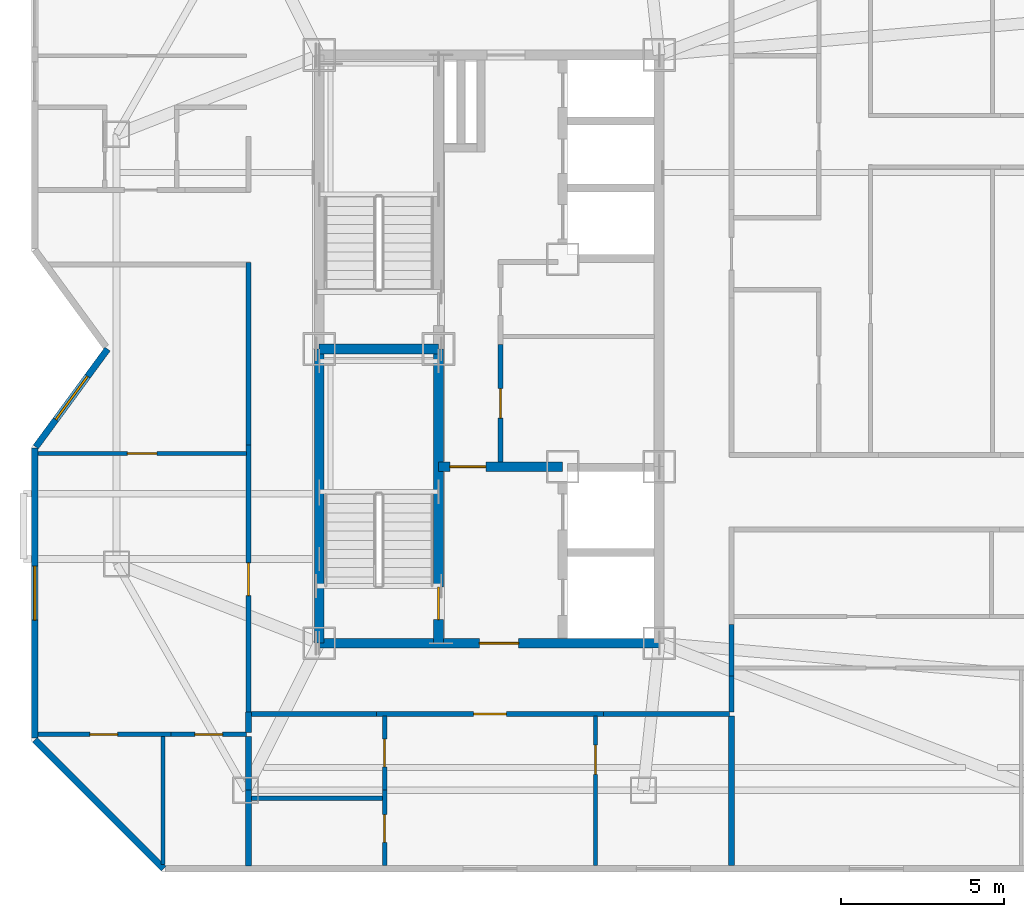
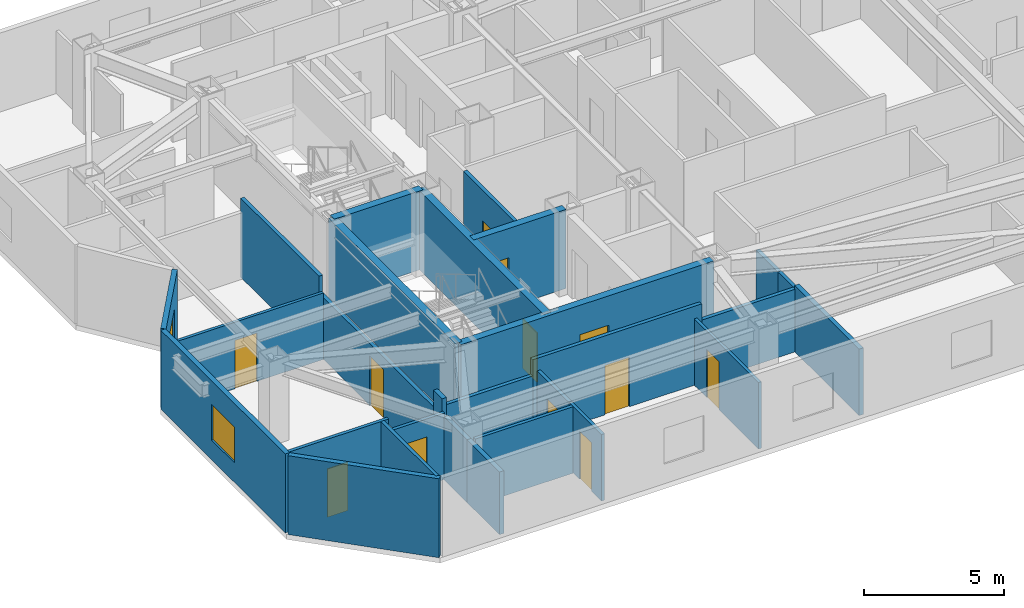
# One storey, part 4 of 10: 28 walls, 12 doors, 2 windows, 14 openings.
"""IFC4 building model written with IfcOpenShell, lengths in metres."""

from ifc_helpers import new_model, si_unit, direction, frame, frame_2d, origin, place, context, subcontext, project, spatial, rectangle, extrude, material, layer, layer_set, type_object, element, fill, save


model = new_model("IFC4")

# Units and contexts
model_context = context("Model", 3, precision=1e-05, world=origin(), true_north=direction((0.0, 1.0)))
body_context = subcontext(model_context, "Body", "Model", "MODEL_VIEW")
ifc_project = project(units=[si_unit("LENGTHUNIT", "METRE"), si_unit("AREAUNIT", "SQUARE_METRE"), si_unit("VOLUMEUNIT", "CUBIC_METRE"), si_unit("PLANEANGLEUNIT", "RADIAN"), si_unit("MASSUNIT", "GRAM", prefix="KILO")], contexts=[model_context])

# Site, building, storey
site_placement = place(None, origin())
site = spatial("IfcSite", under=ifc_project, at=site_placement, CompositionType="ELEMENT")
building_placement = place(site_placement, origin())
building = spatial("IfcBuilding", under=site, at=building_placement, Name="Khamvora Tower", CompositionType="ELEMENT")
storey_placement = place(building_placement, frame((0.0, 0.0, 246.39990234375)))
storey = spatial("IfcBuildingStorey", under=building, at=storey_placement, Name="L63", CompositionType="ELEMENT", Elevation=246.39990234375)

# Wall
ifc_material_1 = material(Name="Concrete C50/60", Category="concrete")
ifc_layer_1 = layer(ifc_material_1, 0.300048828125)
ifc_layer_set_1 = layer_set([ifc_layer_1], Name="Concrete C50/60")
wall_type_1 = type_object("IfcWallType", Name="WAL-CORE-300", PredefinedType="SHEAR", material=ifc_layer_set_1)
wall_1_placement = place(storey_placement, frame((29.0, 19.0, 0.0), z_axis=(0.0, 0.0, 1.0), x_axis=(0.0, 1.0, 0.0)))
element("IfcWall", 1, at=wall_1_placement, inside=storey, type_object=wall_type_1, Name="L63 central core west south wall", PredefinedType="SHEAR", context=body_context, shape_type="SweptSolid", body=[
    extrude(rectangle(XDim=9.0, YDim=0.300048828125, at=frame_2d((4.5, 0.0))), origin(), (0.0, 0.0, 1.0), 3.43017578125),
])

# Wall, opening, door
wall_2_placement = place(storey_placement, frame((29.0, 19.0, 0.0), z_axis=(0.0, 0.0, 1.0), x_axis=(1.0, 0.0, 0.0)))
wall_2 = element("IfcWall", 2, at=wall_2_placement, inside=storey, type_object=wall_type_1, Name="L63 central core south wall", PredefinedType="SHEAR", context=body_context, shape_type="SweptSolid", body=[
    extrude(rectangle(XDim=10.39990234375, YDim=0.300048828125, at=frame_2d((5.199951171875, 0.0))), origin(), (0.0, 0.0, 1.0), 3.43017578125),
])
opening_1_placement = place(wall_2_placement, frame((4.89990234375, 0.0, 0.0)))
opening_1 = element("IfcOpeningElement", 3, at=opening_1_placement, cuts=wall_2, Name="Opening D-CR1", PredefinedType="OPENING", context=body_context, shape_type="SweptSolid", body=[
    extrude(rectangle(XDim=1.199951171875, YDim=2.14990234375, at=frame_2d((0.60009765625, 1.074951171875))), frame((0.0, 0.159912109375, 0.0), z_axis=(0.0, -1.0, 0.0), x_axis=(1.0, 0.0, 0.0)), (0.0, 0.0, 1.0), 0.320068359375),
])
ifc_material_2 = material(Name="Powder-Coated Steel and Hardwood Leaf", Category="steel")
door_type_1 = type_object("IfcDoorType", Name="DOR-CORR-1200", OperationType="NOTDEFINED", PredefinedType="DOOR", material=ifc_material_2)
door_1_placement = place(opening_1_placement, origin())
door_1 = element("IfcDoor", 4, at=door_1_placement, inside=storey, type_object=door_type_1, Name="L63 south core lobby to corridor fire door", OperationType="SINGLE_SWING_RIGHT", OverallHeight=2.14990234375, OverallWidth=1.199951171875, PredefinedType="DOOR", context=body_context, shape_type="SweptSolid", body=[
    extrude(rectangle(XDim=1.199951171875, YDim=2.14990234375, at=frame_2d((0.60009765625, 1.074951171875))), frame((0.0, 0.02490234375, 0.0), z_axis=(0.0, -1.0, 0.0), x_axis=(1.0, 0.0, 0.0)), (0.0, 0.0, 1.0), 0.050048828125),
])
fill(opening_1, door_1)

wall_3_placement = place(storey_placement, frame((32.64990234375, 19.0, 0.0), z_axis=(0.0, 0.0, 1.0), x_axis=(0.0, 1.0, 0.0)))
wall_3 = element("IfcWall", 5, at=wall_3_placement, inside=storey, type_object=wall_type_1, Name="L63 central core stair south spine wall", PredefinedType="SHEAR", context=body_context, shape_type="SweptSolid", body=[
    extrude(rectangle(XDim=9.0, YDim=0.300048828125, at=frame_2d((4.5, 0.0))), origin(), (0.0, 0.0, 1.0), 3.43017578125),
])
opening_2_placement = place(wall_3_placement, frame((0.719970703125, 0.0, 0.0)))
opening_2 = element("IfcOpeningElement", 6, at=opening_2_placement, cuts=wall_3, Name="Opening D-ST1", PredefinedType="OPENING", context=body_context, shape_type="SweptSolid", body=[
    extrude(rectangle(XDim=1.0, YDim=2.14990234375, at=frame_2d((0.5, 1.074951171875))), frame((0.0, 0.159912109375, 0.0), z_axis=(0.0, -1.0, 0.0), x_axis=(1.0, 0.0, 0.0)), (0.0, 0.0, 1.0), 0.320068359375),
])
door_type_2 = type_object("IfcDoorType", Name="DOR-STAIR-1000", OperationType="NOTDEFINED", PredefinedType="DOOR", material=ifc_material_2)
door_2_placement = place(opening_2_placement, origin())
door_2 = element("IfcDoor", 7, at=door_2_placement, inside=storey, type_object=door_type_2, Name="L63 exit stair ST-01 fire door", OperationType="SINGLE_SWING_RIGHT", OverallHeight=2.14990234375, OverallWidth=1.0, PredefinedType="DOOR", context=body_context, shape_type="SweptSolid", body=[
    extrude(rectangle(XDim=1.0, YDim=2.14990234375, at=frame_2d((0.5, 1.074951171875))), frame((0.0, 0.02490234375, 0.0), z_axis=(0.0, -1.0, 0.0), x_axis=(1.0, 0.0, 0.0)), (0.0, 0.0, 1.0), 0.050048828125),
])
fill(opening_2, door_2)

# Wall
wall_4_placement = place(storey_placement, frame((29.0, 28.0, 0.0), z_axis=(0.0, 0.0, 1.0), x_axis=(1.0, 0.0, 0.0)))
element("IfcWall", 8, at=wall_4_placement, inside=storey, type_object=wall_type_1, Name="L63 central core stair cross wall", PredefinedType="SHEAR", context=body_context, shape_type="SweptSolid", body=[
    extrude(rectangle(XDim=3.64990234375, YDim=0.300048828125, at=frame_2d((1.824951171875, 0.0))), origin(), (0.0, 0.0, 1.0), 3.43017578125),
])

# Wall, opening, door
wall_5_placement = place(storey_placement, frame((32.64990234375, 24.39990234375, 0.0), z_axis=(0.0, 0.0, 1.0), x_axis=(1.0, 0.0, 0.0)))
wall_5 = element("IfcWall", 9, at=wall_5_placement, inside=storey, type_object=wall_type_1, Name="L63 central core firefighting lobby north wall", PredefinedType="SHEAR", context=body_context, shape_type="SweptSolid", body=[
    extrude(rectangle(XDim=3.800048828125, YDim=0.300048828125, at=frame_2d((1.89990234375, 0.0))), origin(), (0.0, 0.0, 1.0), 3.43017578125),
])
opening_3_placement = place(wall_5_placement, frame((0.35009765625, 0.0, 0.0)))
opening_3 = element("IfcOpeningElement", 10, at=opening_3_placement, cuts=wall_5, Name="Opening D-FF1", PredefinedType="OPENING", context=body_context, shape_type="SweptSolid", body=[
    extrude(rectangle(XDim=1.10009765625, YDim=2.14990234375, at=frame_2d((0.550048828125, 1.074951171875))), frame((0.0, 0.159912109375, 0.0), z_axis=(0.0, -1.0, 0.0), x_axis=(1.0, 0.0, 0.0)), (0.0, 0.0, 1.0), 0.320068359375),
])
door_type_3 = type_object("IfcDoorType", Name="DOR-FFLOB-1100", OperationType="NOTDEFINED", PredefinedType="DOOR", material=ifc_material_2)
door_3_placement = place(opening_3_placement, origin())
door_3 = element("IfcDoor", 11, at=door_3_placement, inside=storey, type_object=door_type_3, Name="L63 firefighting lobby smoke-seal fire door", OperationType="SINGLE_SWING_LEFT", OverallHeight=2.14990234375, OverallWidth=1.10009765625, PredefinedType="DOOR", context=body_context, shape_type="SweptSolid", body=[
    extrude(rectangle(XDim=1.10009765625, YDim=2.14990234375, at=frame_2d((0.550048828125, 1.074951171875))), frame((0.0, 0.02490234375, 0.0), z_axis=(0.0, -1.0, 0.0), x_axis=(1.0, 0.0, 0.0)), (0.0, 0.0, 1.0), 0.050048828125),
])
fill(opening_3, door_3)

ifc_material_3 = material(Name="Fire-Rated Drywall and Steel Stud", Category="steel")
ifc_layer_2 = layer(ifc_material_3, 0.14990234375)
ifc_layer_set_2 = layer_set([ifc_layer_2], Name="Fire-Rated Drywall and Steel Stud")
wall_type_2 = type_object("IfcWallType", Name="WAL-CORR-150", PredefinedType="STANDARD", material=ifc_layer_set_2)
wall_6_placement = place(storey_placement, frame((34.544921875, 28.135986328125, 0.0), z_axis=(0.0, 0.0, 1.0), x_axis=(0.0, -1.0, 0.0)))
wall_6 = element("IfcWall", 12, at=wall_6_placement, inside=storey, type_object=wall_type_2, Name="L63 interior partition wall 003", PredefinedType="STANDARD", context=body_context, shape_type="SweptSolid", body=[
    extrude(rectangle(XDim=3.592041015625, YDim=0.14990234375, at=frame_2d((1.7958984375, 0.0))), origin(), (0.0, 0.0, 1.0), 3.43017578125),
])
opening_4_placement = place(wall_6_placement, frame((1.345947265625, 0.0, 0.0)))
opening_4 = element("IfcOpeningElement", 13, at=opening_4_placement, cuts=wall_6, Name="Opening D-RM1", PredefinedType="OPENING", context=body_context, shape_type="SweptSolid", body=[
    extrude(rectangle(XDim=0.89990234375, YDim=2.10009765625, at=frame_2d((0.449951171875, 1.050048828125))), frame((0.0, 0.0849609375, 0.0), z_axis=(0.0, -1.0, 0.0), x_axis=(1.0, 0.0, 0.0)), (0.0, 0.0, 1.0), 0.169921875),
])
door_type_4 = type_object("IfcDoorType", Name="DOR-ROOM-900", OperationType="NOTDEFINED", PredefinedType="DOOR", material=ifc_material_2)
door_4_placement = place(opening_4_placement, origin())
door_4 = element("IfcDoor", 14, at=door_4_placement, inside=storey, type_object=door_type_4, Name="L63 interior door PHL-CS2", OperationType="SINGLE_SWING_LEFT", OverallHeight=2.10009765625, OverallWidth=0.89990234375, PredefinedType="DOOR", context=body_context, shape_type="SweptSolid", body=[
    extrude(rectangle(XDim=0.89990234375, YDim=2.10009765625, at=frame_2d((0.449951171875, 1.050048828125))), frame((0.0, 0.02490234375, 0.0), z_axis=(0.0, -1.0, 0.0), x_axis=(1.0, 0.0, 0.0)), (0.0, 0.0, 1.0), 0.050048828125),
])
fill(opening_4, door_4)

wall_7_placement = place(storey_placement, frame((26.8349609375, 16.89990234375, 0.0), z_axis=(0.0, 0.0, 1.0), x_axis=(0.0, 1.0, 0.0)))
wall_7 = element("IfcWall", 15, at=wall_7_placement, inside=storey, type_object=wall_type_2, Name="L63 interior partition wall 006", PredefinedType="STANDARD", context=body_context, shape_type="SweptSolid", body=[
    extrude(rectangle(XDim=8.1591796875, YDim=0.14990234375, at=frame_2d((4.07958984375, 0.0))), origin(), (0.0, 0.0, 1.0), 2.68701171875),
])
opening_5_placement = place(wall_7_placement, frame((3.55908203125, 0.0, 0.0)))
opening_5 = element("IfcOpeningElement", 16, at=opening_5_placement, cuts=wall_7, Name="Opening D-U1", PredefinedType="OPENING", context=body_context, shape_type="SweptSolid", body=[
    extrude(rectangle(XDim=1.0, YDim=2.14990234375, at=frame_2d((0.5, 1.074951171875))), frame((0.0, 0.0849609375, 0.0), z_axis=(0.0, -1.0, 0.0), x_axis=(1.0, 0.0, 0.0)), (0.0, 0.0, 1.0), 0.169921875),
])
door_type_5 = type_object("IfcDoorType", Name="DOR-UNIT-1000", OperationType="NOTDEFINED", PredefinedType="DOOR", material=ifc_material_2)
door_5_placement = place(opening_5_placement, origin())
door_5 = element("IfcDoor", 17, at=door_5_placement, inside=storey, type_object=door_type_5, Name="L63 interior door COR-63WAH", OperationType="SINGLE_SWING_LEFT", OverallHeight=2.14990234375, OverallWidth=1.0, PredefinedType="DOOR", context=body_context, shape_type="SweptSolid", body=[
    extrude(rectangle(XDim=1.0, YDim=2.14990234375, at=frame_2d((0.5, 1.074951171875))), frame((0.0, 0.02490234375, 0.0), z_axis=(0.0, -1.0, 0.0), x_axis=(1.0, 0.0, 0.0)), (0.0, 0.0, 1.0), 0.050048828125),
])
fill(opening_5, door_5)

# Wall
wall_8_placement = place(storey_placement, frame((26.8349609375, 25.05908203125, 0.0), z_axis=(0.0, 0.0, 1.0), x_axis=(0.0, 1.0, 0.0)))
element("IfcWall", 18, at=wall_8_placement, inside=storey, type_object=wall_type_2, Name="L63 interior partition wall 007", PredefinedType="STANDARD", context=body_context, shape_type="SweptSolid", body=[
    extrude(rectangle(XDim=5.5908203125, YDim=0.14990234375, at=frame_2d((2.79541015625, 0.0))), origin(), (0.0, 0.0, 1.0), 3.43017578125),
])

# Wall, opening, door
wall_9_placement = place(storey_placement, frame((37.698974609375, 16.8349609375, 0.0), z_axis=(0.0, 0.0, 1.0), x_axis=(-1.0, 0.0, 0.0)))
wall_9 = element("IfcWall", 19, at=wall_9_placement, inside=storey, type_object=wall_type_2, Name="L63 interior partition wall 012", PredefinedType="STANDARD", context=body_context, shape_type="SweptSolid", body=[
    extrude(rectangle(XDim=6.947998046875, YDim=0.14990234375, at=frame_2d((3.47412109375, 0.0))), origin(), (0.0, 0.0, 1.0), 3.43017578125),
])
opening_6_placement = place(wall_9_placement, frame((2.97412109375, 0.0, 0.0)))
opening_6 = element("IfcOpeningElement", 20, at=opening_6_placement, cuts=wall_9, Name="Opening D-U1", PredefinedType="OPENING", context=body_context, shape_type="SweptSolid", body=[
    extrude(rectangle(XDim=1.0, YDim=2.14990234375, at=frame_2d((0.5, 1.074951171875))), frame((0.0, 0.0849609375, 0.0), z_axis=(0.0, -1.0, 0.0), x_axis=(1.0, 0.0, 0.0)), (0.0, 0.0, 1.0), 0.169921875),
])
door_6_placement = place(opening_6_placement, origin())
door_6 = element("IfcDoor", 21, at=door_6_placement, inside=storey, type_object=door_type_5, Name="L63 interior door COR-63SAH", OperationType="SINGLE_SWING_LEFT", OverallHeight=2.14990234375, OverallWidth=1.0, PredefinedType="DOOR", context=body_context, shape_type="SweptSolid", body=[
    extrude(rectangle(XDim=1.0, YDim=2.14990234375, at=frame_2d((0.5, 1.074951171875))), frame((0.0, 0.02490234375, 0.0), z_axis=(0.0, -1.0, 0.0), x_axis=(1.0, 0.0, 0.0)), (0.0, 0.0, 1.0), 0.050048828125),
])
fill(opening_6, door_6)

# Walls
for number, where, z_axis, x_axis, name in (
    (22, (30.7509765625, 16.8349609375, 0.0), (0.0, 0.0, 1.0), (-1.0, 0.0, 0.0), "L63 interior partition wall 013"),
    (23, (41.550048828125, 16.8349609375, 0.0), (0.0, 0.0, 1.0), (-1.0, 0.0, 0.0), "L63 interior partition wall 014"),
):
    element("IfcWall", number, at=place(storey_placement, frame(where, z_axis=z_axis, x_axis=x_axis)), inside=storey, type_object=wall_type_2, Name=name, PredefinedType="STANDARD", context=body_context, shape_type="SweptSolid", body=[
        extrude(rectangle(XDim=3.85107421875, YDim=0.14990234375, at=frame_2d((1.925537109375, 0.0))), origin(), (0.0, 0.0, 1.0), 2.72509765625),
    ])
wall_10_placement = place(storey_placement, frame((41.614990234375, 19.570068359375, 0.0), z_axis=(0.0, 0.0, 1.0), x_axis=(0.0, -1.0, 0.0)))
element("IfcWall", 24, at=wall_10_placement, inside=storey, type_object=wall_type_2, Name="L63 interior partition wall 022", PredefinedType="STANDARD", context=body_context, shape_type="SweptSolid", body=[
    extrude(rectangle(XDim=1.580078125, YDim=0.14990234375, at=frame_2d((0.7900390625, 0.0))), origin(), (0.0, 0.0, 1.0), 2.72509765625),
])
wall_11_placement = place(storey_placement, frame((41.614990234375, 17.989990234375, 0.0), z_axis=(0.0, 0.0, 1.0), x_axis=(0.0, -1.0, 0.0)))
element("IfcWall", 25, at=wall_11_placement, inside=storey, type_object=wall_type_2, Name="L63 interior partition wall 025", PredefinedType="STANDARD", context=body_context, shape_type="SweptSolid", body=[
    extrude(rectangle(XDim=1.090087890625, YDim=0.14990234375, at=frame_2d((0.544921875, 0.0))), origin(), (0.0, 0.0, 1.0), 2.72509765625),
])
ifc_material_4 = material(Name="Acoustic Double-Stud Fire Wall", Category="gypsum")
ifc_layer_3 = layer(ifc_material_4, 0.179931640625)
ifc_layer_set_3 = layer_set([ifc_layer_3], Name="Acoustic Double-Stud Fire Wall")
wall_type_3 = type_object("IfcWallType", Name="WAL-CORR-180", PredefinedType="STANDARD", material=ifc_layer_set_3)
wall_12_placement = place(storey_placement, frame((26.8349609375, 16.89990234375, 0.0), z_axis=(0.0, 0.0, 1.0), x_axis=(0.0, -1.0, 0.0)))
element("IfcWall", 26, at=wall_12_placement, inside=storey, type_object=wall_type_3, Name="L63 interior partition wall 043", PredefinedType="STANDARD", context=body_context, shape_type="SweptSolid", body=[
    extrude(rectangle(XDim=0.625, YDim=0.179931640625, at=frame_2d((0.3125, 0.0))), origin(), (0.0, 0.0, 1.0), 3.43017578125),
])
wall_13_placement = place(storey_placement, frame((26.8349609375, 14.509033203125, 0.0), z_axis=(0.0, 0.0, 1.0), x_axis=(0.0, -1.0, 0.0)))
element("IfcWall", 27, at=wall_13_placement, inside=storey, type_object=wall_type_3, Name="L63 interior partition wall 045", PredefinedType="STANDARD", context=body_context, shape_type="SweptSolid", body=[
    extrude(rectangle(XDim=2.317138671875, YDim=0.179931640625, at=frame_2d((1.15869140625, 0.0))), origin(), (0.0, 0.0, 1.0), 2.72509765625),
])
wall_14_placement = place(storey_placement, frame((26.8349609375, 16.14501953125, 0.0), z_axis=(0.0, 0.0, 1.0), x_axis=(0.0, -1.0, 0.0)))
element("IfcWall", 28, at=wall_14_placement, inside=storey, type_object=wall_type_3, Name="L63 interior partition wall 046", PredefinedType="STANDARD", context=body_context, shape_type="SweptSolid", body=[
    extrude(rectangle(XDim=1.635986328125, YDim=0.179931640625, at=frame_2d((0.81787109375, 0.0))), origin(), (0.0, 0.0, 1.0), 2.72509765625),
])
wall_15_placement = place(storey_placement, frame((41.614990234375, 16.77001953125, 0.0), z_axis=(0.0, 0.0, 1.0), x_axis=(0.0, -1.0, 0.0)))
element("IfcWall", 29, at=wall_15_placement, inside=storey, type_object=wall_type_3, Name="L63 interior partition wall 056", PredefinedType="STANDARD", context=body_context, shape_type="SweptSolid", body=[
    extrude(rectangle(XDim=4.578125, YDim=0.179931640625, at=frame_2d((2.2890625, 0.0))), origin(), (0.0, 0.0, 1.0), 2.88720703125),
])
ifc_material_5 = material(Name="Precast concrete C40/50", Category="concrete")
ifc_layer_4 = layer(ifc_material_5, 0.199951171875)
ifc_layer_set_4 = layer_set([ifc_layer_4], Name="Precast concrete C40/50")
wall_type_4 = type_object("IfcWallType", Name="WAL-EXT-200", PredefinedType="STANDARD", material=ifc_layer_set_4)
wall_16_placement = place(storey_placement, frame((24.240966796875, 12.10009765625, 0.0), z_axis=(0.0, 0.0, 1.0), x_axis=(-0.707106781187, 0.707106781187, 0.0)))
element("IfcWall", 30, at=wall_16_placement, inside=storey, type_object=wall_type_4, Name="L63 exterior facade wall 01.1", PredefinedType="STANDARD", context=body_context, shape_type="SweptSolid", body=[
    extrude(rectangle(XDim=5.5732421875, YDim=0.199951171875, at=frame_2d((2.78662109375, 0.0))), origin(), (0.0, 0.0, 1.0), 3.43017578125),
])

# Wall, opening, window
wall_17_placement = place(storey_placement, frame((20.300048828125, 16.10400390625, 0.0), z_axis=(0.0, 0.0, 1.0), x_axis=(0.0, 1.0, 0.0)))
wall_17 = element("IfcWall", 31, at=wall_17_placement, inside=storey, type_object=wall_type_4, Name="L63 exterior facade wall 02.1", PredefinedType="STANDARD", context=body_context, shape_type="SweptSolid", body=[
    extrude(rectangle(XDim=8.863037109375, YDim=0.199951171875, at=frame_2d((4.431640625, 0.0))), origin(), (0.0, 0.0, 1.0), 3.43017578125),
])
opening_7_placement = place(wall_17_placement, frame((3.60595703125, 0.0, 0.85009765625)))
opening_7 = element("IfcOpeningElement", 32, at=opening_7_placement, cuts=wall_17, Name="Opening WN-06", PredefinedType="OPENING", context=body_context, shape_type="SweptSolid", body=[
    extrude(rectangle(XDim=1.64990234375, YDim=1.550048828125, at=frame_2d((0.824951171875, 0.77490234375))), frame((0.0, 0.10986328125, 0.0), z_axis=(0.0, -1.0, 0.0), x_axis=(1.0, 0.0, 0.0)), (0.0, 0.0, 1.0), 0.219970703125),
])
ifc_material_6 = material(Name="Low-E Laminated Double Glazing", Category="glass")
window_type = type_object("IfcWindowType", Name="WIN-VIS-1650x1550", PartitioningType="SINGLE_PANEL", PredefinedType="WINDOW", material=ifc_material_6)
window_1_placement = place(opening_7_placement, origin())
window_1 = element("IfcWindow", 33, at=window_1_placement, inside=storey, type_object=window_type, Name="L63 vision window 02.1.01", OverallHeight=1.550048828125, OverallWidth=1.64990234375, PartitioningType="SINGLE_PANEL", PredefinedType="WINDOW", context=body_context, shape_type="SweptSolid", body=[
    extrude(rectangle(XDim=1.64990234375, YDim=1.550048828125, at=frame_2d((0.824951171875, 0.77490234375))), frame((0.0, 0.030029296875, 0.0), z_axis=(0.0, -1.0, 0.0), x_axis=(1.0, 0.0, 0.0)), (0.0, 0.0, 1.0), 0.06005859375),
])
fill(opening_7, window_1)

wall_18_placement = place(storey_placement, frame((20.3291015625, 25.007080078125, 0.0), z_axis=(0.0, 0.0, 1.0), x_axis=(0.591366515379, 0.806402904564, 0.0)))
wall_18 = element("IfcWall", 34, at=wall_18_placement, inside=storey, type_object=wall_type_4, Name="L63 exterior facade wall 03.1", PredefinedType="STANDARD", context=body_context, shape_type="SweptSolid", body=[
    extrude(rectangle(XDim=3.71142578125, YDim=0.199951171875, at=frame_2d((1.855712890625, 0.0))), origin(), (0.0, 0.0, 1.0), 3.43017578125),
])
opening_8_placement = place(wall_18_placement, frame((1.031005859375, 0.0, 0.85009765625)))
opening_8 = element("IfcOpeningElement", 35, at=opening_8_placement, cuts=wall_18, Name="Opening WN-06", PredefinedType="OPENING", context=body_context, shape_type="SweptSolid", body=[
    extrude(rectangle(XDim=1.64990234375, YDim=1.550048828125, at=frame_2d((0.824951171875, 0.77490234375))), frame((0.0, 0.10986328125, 0.0), z_axis=(0.0, -1.0, 0.0), x_axis=(1.0, 0.0, 0.0)), (0.0, 0.0, 1.0), 0.219970703125),
])
window_2_placement = place(opening_8_placement, origin())
window_2 = element("IfcWindow", 36, at=window_2_placement, inside=storey, type_object=window_type, Name="L63 vision window 03.1.01", OverallHeight=1.550048828125, OverallWidth=1.64990234375, PartitioningType="SINGLE_PANEL", PredefinedType="WINDOW", context=body_context, shape_type="SweptSolid", body=[
    extrude(rectangle(XDim=1.64990234375, YDim=1.550048828125, at=frame_2d((0.824951171875, 0.77490234375))), frame((0.0, 0.030029296875, 0.0), z_axis=(0.0, -1.0, 0.0), x_axis=(1.0, 0.0, 0.0)), (0.0, 0.0, 1.0), 0.06005859375),
])
fill(opening_8, window_2)

# Wall, opening, door
ifc_material_7 = material(Name="Gypsum Plasterboard Partition", Category="gypsum")
ifc_layer_5 = layer(ifc_material_7, 0.1201171875)
ifc_layer_set_5 = layer_set([ifc_layer_5], Name="Gypsum Plasterboard Partition")
wall_type_5 = type_object("IfcWallType", Name="WAL-PART-120", PredefinedType="PARTITIONING", material=ifc_layer_set_5)
wall_19_placement = place(storey_placement, frame((20.39208984375, 24.81005859375, 0.0), z_axis=(0.0, 0.0, 1.0), x_axis=(1.0, 0.0, 0.0)))
wall_19 = element("IfcWall", 37, at=wall_19_placement, inside=storey, type_object=wall_type_5, Name="L63 interior partition wall 042", PredefinedType="PARTITIONING", context=body_context, shape_type="SweptSolid", body=[
    extrude(rectangle(XDim=6.3779296875, YDim=0.1201171875, at=frame_2d((3.18896484375, 0.0))), origin(), (0.0, 0.0, 1.0), 2.88720703125),
])
opening_9_placement = place(wall_19_placement, frame((2.739013671875, 0.0, 0.0)))
opening_9 = element("IfcOpeningElement", 38, at=opening_9_placement, cuts=wall_19, Name="Opening D-RM1", PredefinedType="OPENING", context=body_context, shape_type="SweptSolid", body=[
    extrude(rectangle(XDim=0.89990234375, YDim=2.10009765625, at=frame_2d((0.449951171875, 1.050048828125))), frame((0.0, 0.070068359375, 0.0), z_axis=(0.0, -1.0, 0.0), x_axis=(1.0, 0.0, 0.0)), (0.0, 0.0, 1.0), 0.14013671875),
])
door_7_placement = place(opening_9_placement, origin())
door_7 = element("IfcDoor", 39, at=door_7_placement, inside=storey, type_object=door_type_4, Name="L63 interior door 63WAH-63WAR1", OperationType="SINGLE_SWING_RIGHT", OverallHeight=2.10009765625, OverallWidth=0.89990234375, PredefinedType="DOOR", context=body_context, shape_type="SweptSolid", body=[
    extrude(rectangle(XDim=0.89990234375, YDim=2.10009765625, at=frame_2d((0.449951171875, 1.050048828125))), frame((0.0, 0.02490234375, 0.0), z_axis=(0.0, -1.0, 0.0), x_axis=(1.0, 0.0, 0.0)), (0.0, 0.0, 1.0), 0.050048828125),
])
fill(opening_9, door_7)

wall_20_placement = place(storey_placement, frame((37.449951171875, 16.77001953125, 0.0), z_axis=(0.0, 0.0, 1.0), x_axis=(0.0, -1.0, 0.0)))
wall_20 = element("IfcWall", 40, at=wall_20_placement, inside=storey, type_object=wall_type_5, Name="L63 interior partition wall 054", PredefinedType="PARTITIONING", context=body_context, shape_type="SweptSolid", body=[
    extrude(rectangle(XDim=4.578125, YDim=0.1201171875, at=frame_2d((2.2890625, 0.0))), origin(), (0.0, 0.0, 1.0), 2.88720703125),
])
opening_10_placement = place(wall_20_placement, frame((0.884033203125, 0.0, 0.0)))
opening_10 = element("IfcOpeningElement", 41, at=opening_10_placement, cuts=wall_20, Name="Opening D-RM1", PredefinedType="OPENING", context=body_context, shape_type="SweptSolid", body=[
    extrude(rectangle(XDim=0.89990234375, YDim=2.10009765625, at=frame_2d((0.449951171875, 1.050048828125))), frame((0.0, 0.070068359375, 0.0), z_axis=(0.0, -1.0, 0.0), x_axis=(1.0, 0.0, 0.0)), (0.0, 0.0, 1.0), 0.14013671875),
])
door_8_placement = place(opening_10_placement, origin())
door_8 = element("IfcDoor", 42, at=door_8_placement, inside=storey, type_object=door_type_4, Name="L63 interior door 63SAH-63SAR1", OperationType="SINGLE_SWING_RIGHT", OverallHeight=2.10009765625, OverallWidth=0.89990234375, PredefinedType="DOOR", context=body_context, shape_type="SweptSolid", body=[
    extrude(rectangle(XDim=0.89990234375, YDim=2.10009765625, at=frame_2d((0.449951171875, 1.050048828125))), frame((0.0, 0.02490234375, 0.0), z_axis=(0.0, -1.0, 0.0), x_axis=(1.0, 0.0, 0.0)), (0.0, 0.0, 1.0), 0.050048828125),
])
fill(opening_10, door_8)

ifc_material_8 = material(Name="Moisture-Resistant Plasterboard Partition", Category="gypsum")
ifc_layer_6 = layer(ifc_material_8, 0.135009765625)
ifc_layer_set_6 = layer_set([ifc_layer_6], Name="Moisture-Resistant Plasterboard Partition")
wall_type_6 = type_object("IfcWallType", Name="WAL-WET-135", PredefinedType="PARTITIONING", material=ifc_layer_set_6)
wall_21_placement = place(storey_placement, frame((24.468994140625, 16.2099609375, 0.0), z_axis=(0.0, 0.0, 1.0), x_axis=(-1.0, 0.0, 0.0)))
wall_21 = element("IfcWall", 43, at=wall_21_placement, inside=storey, type_object=wall_type_6, Name="L63 interior partition wall 040", PredefinedType="PARTITIONING", context=body_context, shape_type="SweptSolid", body=[
    extrude(rectangle(XDim=4.076904296875, YDim=0.135009765625, at=frame_2d((2.03857421875, 0.0))), origin(), (0.0, 0.0, 1.0), 3.43017578125),
])
opening_11_placement = place(wall_21_placement, frame((1.634033203125, 0.0, 0.0)))
opening_11 = element("IfcOpeningElement", 44, at=opening_11_placement, cuts=wall_21, Name="Opening D-WC1", PredefinedType="OPENING", context=body_context, shape_type="SweptSolid", body=[
    extrude(rectangle(XDim=0.85009765625, YDim=2.10009765625, at=frame_2d((0.425048828125, 1.050048828125))), frame((0.0, 0.077392578125, 0.0), z_axis=(0.0, -1.0, 0.0), x_axis=(1.0, 0.0, 0.0)), (0.0, 0.0, 1.0), 0.155029296875),
])
door_type_6 = type_object("IfcDoorType", Name="DOR-WET-850", OperationType="NOTDEFINED", PredefinedType="DOOR", material=ifc_material_2)
door_9_placement = place(opening_11_placement, origin())
door_9 = element("IfcDoor", 45, at=door_9_placement, inside=storey, type_object=door_type_6, Name="L63 interior door 63WAH-63WAB", OperationType="SINGLE_SWING_RIGHT", OverallHeight=2.10009765625, OverallWidth=0.85009765625, PredefinedType="DOOR", context=body_context, shape_type="SweptSolid", body=[
    extrude(rectangle(XDim=0.85009765625, YDim=2.10009765625, at=frame_2d((0.425048828125, 1.050048828125))), frame((0.0, 0.02490234375, 0.0), z_axis=(0.0, -1.0, 0.0), x_axis=(1.0, 0.0, 0.0)), (0.0, 0.0, 1.0), 0.050048828125),
])
fill(opening_11, door_9)

wall_22_placement = place(storey_placement, frame((26.77001953125, 16.2099609375, 0.0), z_axis=(0.0, 0.0, 1.0), x_axis=(-1.0, 0.0, 0.0)))
wall_22 = element("IfcWall", 46, at=wall_22_placement, inside=storey, type_object=wall_type_6, Name="L63 interior partition wall 041", PredefinedType="PARTITIONING", context=body_context, shape_type="SweptSolid", body=[
    extrude(rectangle(XDim=2.301025390625, YDim=0.135009765625, at=frame_2d((1.150390625, 0.0))), origin(), (0.0, 0.0, 1.0), 2.88720703125),
])
opening_12_placement = place(wall_22_placement, frame((0.72607421875, 0.0, 0.0)))
opening_12 = element("IfcOpeningElement", 47, at=opening_12_placement, cuts=wall_22, Name="Opening D-RM2", PredefinedType="OPENING", context=body_context, shape_type="SweptSolid", body=[
    extrude(rectangle(XDim=0.85009765625, YDim=2.10009765625, at=frame_2d((0.425048828125, 1.050048828125))), frame((0.0, 0.077392578125, 0.0), z_axis=(0.0, -1.0, 0.0), x_axis=(1.0, 0.0, 0.0)), (0.0, 0.0, 1.0), 0.155029296875),
])
door_type_7 = type_object("IfcDoorType", Name="DOR-ROOM-850", OperationType="NOTDEFINED", PredefinedType="DOOR", material=ifc_material_2)
door_10_placement = place(opening_12_placement, origin())
door_10 = element("IfcDoor", 48, at=door_10_placement, inside=storey, type_object=door_type_7, Name="L63 interior door 63WAH-63WAK", OperationType="SINGLE_SWING_LEFT", OverallHeight=2.10009765625, OverallWidth=0.85009765625, PredefinedType="DOOR", context=body_context, shape_type="SweptSolid", body=[
    extrude(rectangle(XDim=0.85009765625, YDim=2.10009765625, at=frame_2d((0.425048828125, 1.050048828125))), frame((0.0, 0.02490234375, 0.0), z_axis=(0.0, -1.0, 0.0), x_axis=(1.0, 0.0, 0.0)), (0.0, 0.0, 1.0), 0.050048828125),
])
fill(opening_12, door_10)

# Wall
wall_23_placement = place(storey_placement, frame((24.219970703125, 16.14892578125, 0.0), z_axis=(0.0, 0.0, 1.0), x_axis=(0.0, -1.0, 0.0)))
element("IfcWall", 49, at=wall_23_placement, inside=storey, type_object=wall_type_6, Name="L63 interior partition wall 044", PredefinedType="PARTITIONING", context=body_context, shape_type="SweptSolid", body=[
    extrude(rectangle(XDim=3.912841796875, YDim=0.135009765625, at=frame_2d((1.95654296875, 0.0))), origin(), (0.0, 0.0, 1.0), 3.43017578125),
])

# Wall, opening, door
wall_24_placement = place(storey_placement, frame((31.0, 12.19189453125, 0.0), z_axis=(0.0, 0.0, 1.0), x_axis=(0.0, 1.0, 0.0)))
wall_24 = element("IfcWall", 50, at=wall_24_placement, inside=storey, type_object=wall_type_6, Name="L63 interior partition wall 052", PredefinedType="PARTITIONING", context=body_context, shape_type="SweptSolid", body=[
    extrude(rectangle(XDim=2.317138671875, YDim=0.135009765625, at=frame_2d((1.15869140625, 0.0))), origin(), (0.0, 0.0, 1.0), 2.88720703125),
])
opening_13_placement = place(wall_24_placement, frame((0.7119140625, 0.0, 0.0)))
opening_13 = element("IfcOpeningElement", 51, at=opening_13_placement, cuts=wall_24, Name="Opening D-WC1", PredefinedType="OPENING", context=body_context, shape_type="SweptSolid", body=[
    extrude(rectangle(XDim=0.85009765625, YDim=2.10009765625, at=frame_2d((0.425048828125, 1.050048828125))), frame((0.0, 0.077392578125, 0.0), z_axis=(0.0, -1.0, 0.0), x_axis=(1.0, 0.0, 0.0)), (0.0, 0.0, 1.0), 0.155029296875),
])
door_11_placement = place(opening_13_placement, origin())
door_11 = element("IfcDoor", 52, at=door_11_placement, inside=storey, type_object=door_type_6, Name="L63 interior door 63SAH-63SAB", OperationType="SINGLE_SWING_LEFT", OverallHeight=2.10009765625, OverallWidth=0.85009765625, PredefinedType="DOOR", context=body_context, shape_type="SweptSolid", body=[
    extrude(rectangle(XDim=0.85009765625, YDim=2.10009765625, at=frame_2d((0.425048828125, 1.050048828125))), frame((0.0, 0.02490234375, 0.0), z_axis=(0.0, -1.0, 0.0), x_axis=(1.0, 0.0, 0.0)), (0.0, 0.0, 1.0), 0.050048828125),
])
fill(opening_13, door_11)

wall_25_placement = place(storey_placement, frame((31.0, 14.509033203125, 0.0), z_axis=(0.0, 0.0, 1.0), x_axis=(0.0, 1.0, 0.0)))
wall_25 = element("IfcWall", 53, at=wall_25_placement, inside=storey, type_object=wall_type_6, Name="L63 interior partition wall 053", PredefinedType="PARTITIONING", context=body_context, shape_type="SweptSolid", body=[
    extrude(rectangle(XDim=2.260986328125, YDim=0.135009765625, at=frame_2d((1.13037109375, 0.0))), origin(), (0.0, 0.0, 1.0), 2.88720703125),
])
opening_14_placement = place(wall_25_placement, frame((0.7060546875, 0.0, 0.0)))
opening_14 = element("IfcOpeningElement", 54, at=opening_14_placement, cuts=wall_25, Name="Opening D-RM2", PredefinedType="OPENING", context=body_context, shape_type="SweptSolid", body=[
    extrude(rectangle(XDim=0.85009765625, YDim=2.10009765625, at=frame_2d((0.425048828125, 1.050048828125))), frame((0.0, 0.077392578125, 0.0), z_axis=(0.0, -1.0, 0.0), x_axis=(1.0, 0.0, 0.0)), (0.0, 0.0, 1.0), 0.155029296875),
])
door_12_placement = place(opening_14_placement, origin())
door_12 = element("IfcDoor", 55, at=door_12_placement, inside=storey, type_object=door_type_7, Name="L63 interior door 63SAH-63SAK", OperationType="SINGLE_SWING_RIGHT", OverallHeight=2.10009765625, OverallWidth=0.85009765625, PredefinedType="DOOR", context=body_context, shape_type="SweptSolid", body=[
    extrude(rectangle(XDim=0.85009765625, YDim=2.10009765625, at=frame_2d((0.425048828125, 1.050048828125))), frame((0.0, 0.02490234375, 0.0), z_axis=(0.0, -1.0, 0.0), x_axis=(1.0, 0.0, 0.0)), (0.0, 0.0, 1.0), 0.050048828125),
])
fill(opening_14, door_12)

# Wall
wall_26_placement = place(storey_placement, frame((26.9169921875, 14.260009765625, 0.0), z_axis=(0.0, 0.0, 1.0), x_axis=(1.0, 0.0, 0.0)))
element("IfcWall", 56, at=wall_26_placement, inside=storey, type_object=wall_type_6, Name="L63 interior partition wall 055", PredefinedType="PARTITIONING", context=body_context, shape_type="SweptSolid", body=[
    extrude(rectangle(XDim=4.02197265625, YDim=0.135009765625, at=frame_2d((2.010986328125, 0.0))), origin(), (0.0, 0.0, 1.0), 2.88720703125),
])

save(model, "model.ifc")
